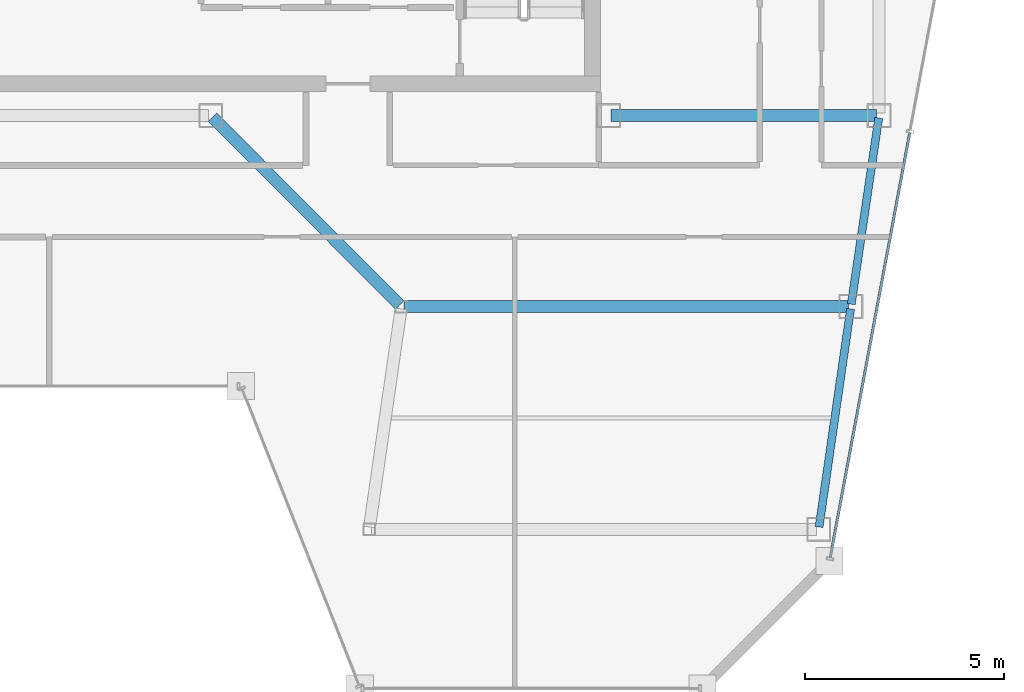
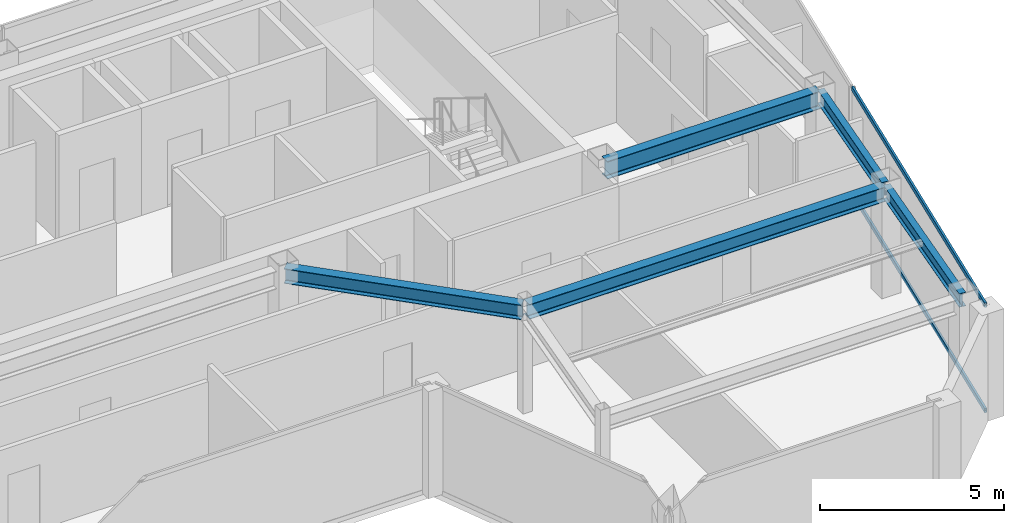
# One storey, part 13 of 22: 5 beams, 2 members, 1 element without a shape of its own.
"""IFC4 building model written with IfcOpenShell, lengths in metres."""

from ifc_helpers import new_model, si_unit, direction, frame, origin, origin_2d, place, context, subcontext, project, spatial, hollow_rectangle, i_section, extrude, material, material_profile, profile_set, type_object, element, aggregate, save


model = new_model("IFC4")

# Units and contexts
model_context = context("Model", 3, precision=1e-05, world=origin(), true_north=direction((0.0, 1.0)))
body_context = subcontext(model_context, "Body", "Model", "MODEL_VIEW")
ifc_project = project(units=[si_unit("LENGTHUNIT", "METRE"), si_unit("AREAUNIT", "SQUARE_METRE"), si_unit("VOLUMEUNIT", "CUBIC_METRE"), si_unit("PLANEANGLEUNIT", "RADIAN"), si_unit("MASSUNIT", "GRAM", prefix="KILO")], contexts=[model_context])

# Site, building, storey
site_placement = place(None, origin())
site = spatial("IfcSite", under=ifc_project, at=site_placement, CompositionType="ELEMENT")
building_placement = place(site_placement, origin())
building = spatial("IfcBuilding", under=site, at=building_placement, Name="Saevonmaru Cultural Tower", CompositionType="ELEMENT")
storey_placement = place(building_placement, frame((0.0, 0.0, 287.60009765625)))
storey = spatial("IfcBuildingStorey", under=building, at=storey_placement, Name="L68", CompositionType="ELEMENT", Elevation=287.60009765625)

# Beams
ifc_material_1 = material(Name="Steel SM355", Category="steel")
ifc_material_profile_1 = material_profile(ifc_material_1, i_section(OverallWidth=0.300048828125, OverallDepth=0.488037109375, WebThickness=0.010986328125, FlangeThickness=0.01806640625, FilletRadius=0.02197265625, at=origin_2d()), Name="H-488x300x11x18")
ifc_profile_set_1 = profile_set([ifc_material_profile_1], Name="Steel SM355")
beam_type_1 = type_object("IfcBeamType", Name="BM-G-H488", PredefinedType="BEAM", material=ifc_profile_set_1)
beam_1_placement = place(storey_placement, frame((41.149658203125, 37.642578125, 3.305908203125), z_axis=(-0.706538566564, 0.707674539572, 0.0), x_axis=(-0.707674539572, -0.706538566564, 0.0)))
element("IfcBeam", 1, at=beam_1_placement, inside=storey, type_object=beam_type_1, Name="L68 East Atrium Girder 2", PredefinedType="BEAM", context=body_context, shape_type="SweptSolid", body=[
    extrude(i_section(OverallWidth=0.300048828125, OverallDepth=0.488037109375, WebThickness=0.010986328125, FlangeThickness=0.01806640625, FilletRadius=0.02197265625, at=origin_2d()), origin(), (0.0, 0.0, 1.0), 6.662353515625),
])
beam_2_placement = place(storey_placement, frame((41.251953125, 37.60009765625, 3.305908203125), z_axis=(1.0, 0.0, 0.0), x_axis=(0.0, 1.0, 0.0)))
element("IfcBeam", 2, at=beam_2_placement, inside=storey, type_object=beam_type_1, Name="L68 East Wing Transverse Girder 2", PredefinedType="BEAM", context=body_context, shape_type="SweptSolid", body=[
    extrude(i_section(OverallWidth=0.300048828125, OverallDepth=0.488037109375, WebThickness=0.010986328125, FlangeThickness=0.01806640625, FilletRadius=0.02197265625, at=origin_2d()), origin(), (0.0, 0.0, 1.0), 11.179931640625),
])
ifc_material_profile_2 = material_profile(ifc_material_1, i_section(OverallWidth=0.300048828125, OverallDepth=0.587890625, WebThickness=0.011962890625, FlangeThickness=0.02001953125, FilletRadius=0.02392578125, at=origin_2d()), Name="H-588x300x12x20")
ifc_profile_set_2 = profile_set([ifc_material_profile_2], Name="Steel SM355")
beam_type_2 = type_object("IfcBeamType", Name="BM-G-H588", PredefinedType="BEAM", material=ifc_profile_set_2)
beam_3_placement = place(storey_placement, frame((46.4599609375, 42.39990234375, 3.255859375), z_axis=(1.0, 0.0, 0.0), x_axis=(0.0, 1.0, 0.0)))
element("IfcBeam", 3, at=beam_3_placement, inside=storey, type_object=beam_type_2, Name="L68 Core South Girder 5", PredefinedType="BEAM", context=body_context, shape_type="SweptSolid", body=[
    extrude(i_section(OverallWidth=0.300048828125, OverallDepth=0.587890625, WebThickness=0.011962890625, FlangeThickness=0.02001953125, FilletRadius=0.02392578125, at=origin_2d()), origin(), (0.0, 0.0, 1.0), 6.679931640625),
])
ifc_material_profile_3 = material_profile(ifc_material_1, i_section(OverallWidth=0.199951171875, OverallDepth=0.449951171875, WebThickness=0.009033203125, FlangeThickness=0.013916015625, FilletRadius=0.01806640625, at=origin_2d()), Name="H-450x200x9x14")
ifc_profile_set_3 = profile_set([ifc_material_profile_3], Name="Steel SM355")
beam_type_3 = type_object("IfcBeamType", Name="BM-SP-H450", PredefinedType="SPANDREL", material=ifc_profile_set_3)
beam_4_placement = place(storey_placement, frame((51.691650390625, 32.059326171875, 3.324951171875), z_axis=(0.142964121327, 0.989727871697, 0.0), x_axis=(-0.989727871697, 0.142964121327, 0.0)))
element("IfcBeam", 4, at=beam_4_placement, inside=storey, type_object=beam_type_3, Name="L68 East Splayed Spandrel 1", PredefinedType="SPANDREL", context=body_context, shape_type="SweptSolid", body=[
    extrude(i_section(OverallWidth=0.199951171875, OverallDepth=0.449951171875, WebThickness=0.009033203125, FlangeThickness=0.013916015625, FilletRadius=0.01806640625, at=origin_2d()), origin(), (0.0, 0.0, 1.0), 5.5380859375),
])
beam_5_placement = place(storey_placement, frame((52.500732421875, 37.659423828125, 3.324951171875), z_axis=(0.145912860028, 0.989297446312, 0.0), x_axis=(-0.989297446312, 0.145912860028, 0.0)))
element("IfcBeam", 5, at=beam_5_placement, inside=storey, type_object=beam_type_3, Name="L68 East Splayed Spandrel 2", PredefinedType="SPANDREL", context=body_context, shape_type="SweptSolid", body=[
    extrude(i_section(OverallWidth=0.199951171875, OverallDepth=0.449951171875, WebThickness=0.009033203125, FlangeThickness=0.013916015625, FilletRadius=0.01806640625, at=origin_2d()), origin(), (0.0, 0.0, 1.0), 4.731689453125),
])

# Curtain wall, members
ifc_material_2 = material(Name="Satin Bronze Anodised Aluminium", Category="aluminium")
curtain_wall_type = type_object("IfcCurtainWallType", Name="CW-TYP-B", PredefinedType="NOTDEFINED", material=ifc_material_2)
curtain_wall_placement = place(storey_placement, origin())
curtain_wall = element("IfcCurtainWall", 6, at=curtain_wall_placement, inside=storey, type_object=curtain_wall_type, Name="L68 Unitised Curtain Wall E8", PredefinedType="NOTDEFINED")
ifc_material_profile_4 = material_profile(ifc_material_2, hollow_rectangle(XDim=0.06494140625, YDim=0.14990234375, WallThickness=0.00390625, at=origin_2d()), Name="ALU-TRAN-150x65x4")
ifc_profile_set_4 = profile_set([ifc_material_profile_4], Name="Satin Bronze Anodised Aluminium")
member_type = type_object("IfcMemberType", Name="TR-CW-150x65", PredefinedType="USERDEFINED", material=ifc_profile_set_4)
member_1_placement = place(storey_placement, frame((51.97265625, 31.291015625, 0.032470703125), z_axis=(0.184051053742, 0.982916684982, 0.0), x_axis=(-0.982916684982, 0.184051053742, 0.0)))
member_1 = element("IfcMember", 7, at=member_1_placement, type_object=member_type, Name="CW-TW-L68-E8 transom 1.1", ObjectType="TRANSOM", PredefinedType="USERDEFINED", context=body_context, shape_type="SweptSolid", body=[
    extrude(hollow_rectangle(XDim=0.06494140625, YDim=0.14990234375, WallThickness=0.00390625, at=origin_2d()), origin(), (0.0, 0.0, 1.0), 10.862548828125),
])
member_2_placement = place(storey_placement, frame((51.97265625, 31.291015625, 3.517333984375), z_axis=(0.184051053742, 0.982916684982, 0.0), x_axis=(-0.982916684982, 0.184051053742, 0.0)))
member_2 = element("IfcMember", 8, at=member_2_placement, type_object=member_type, Name="CW-TW-L68-E8 transom 1.2", ObjectType="TRANSOM", PredefinedType="USERDEFINED", context=body_context, shape_type="SweptSolid", body=[
    extrude(hollow_rectangle(XDim=0.06494140625, YDim=0.14990234375, WallThickness=0.00390625, at=origin_2d()), origin(), (0.0, 0.0, 1.0), 10.862548828125),
])
aggregate(curtain_wall, [member_1, member_2])

save(model, "model.ifc")
